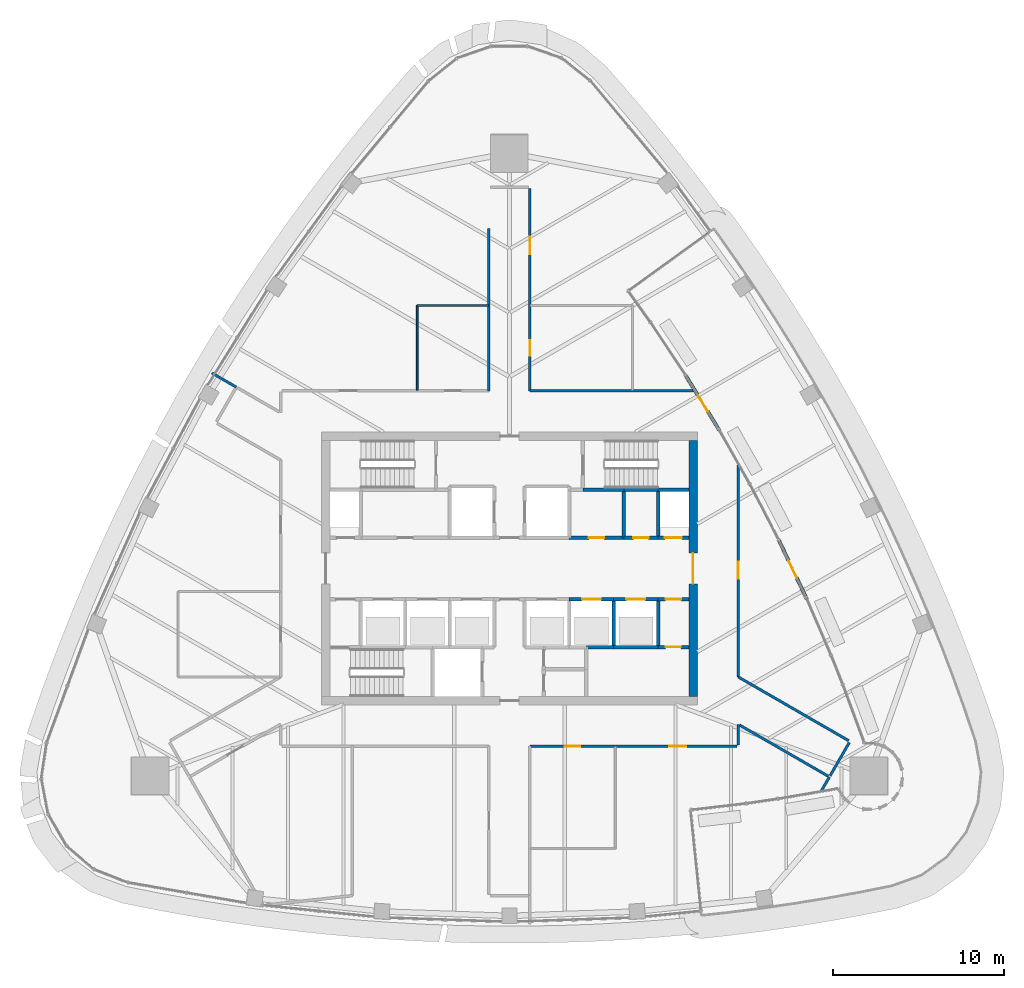
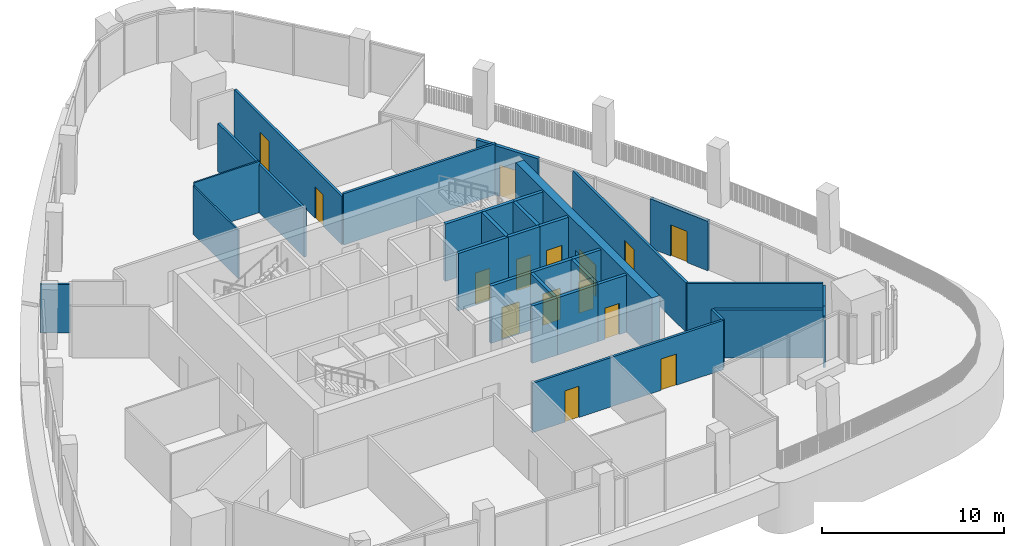
# One storey, part 13 of 20: 32 walls, 15 doors, 15 openings.
"""IFC4 building model written with IfcOpenShell, lengths in metres."""

from ifc_helpers import new_model, si_unit, direction, frame, frame_2d, origin, place, context, subcontext, project, spatial, rectangle, extrude, material, layer, layer_set, type_object, element, fill, save


model = new_model("IFC4")

# Units and contexts
model_context = context("Model", 3, precision=1e-05, world=origin(), true_north=direction((0.0, 1.0)))
body_context = subcontext(model_context, "Body", "Model", "MODEL_VIEW")
ifc_project = project(units=[si_unit("LENGTHUNIT", "METRE"), si_unit("AREAUNIT", "SQUARE_METRE"), si_unit("VOLUMEUNIT", "CUBIC_METRE"), si_unit("PLANEANGLEUNIT", "RADIAN"), si_unit("MASSUNIT", "GRAM", prefix="KILO")], contexts=[model_context])

# Site, building, storey
site_placement = place(None, origin())
site = spatial("IfcSite", under=ifc_project, at=site_placement, CompositionType="ELEMENT")
building_placement = place(site_placement, origin())
building = spatial("IfcBuilding", under=site, at=building_placement, Name="Sierra Prisma Convention Tower", CompositionType="ELEMENT")
storey_placement = place(building_placement, frame((0.0, 0.0, 275.0)))
storey = spatial("IfcBuildingStorey", under=building, at=storey_placement, Name="L62", CompositionType="ELEMENT", Elevation=275.0)

# Walls
ifc_material_1 = material(Name="Gypsum board partition", Category="gypsum")
ifc_layer_1 = layer(ifc_material_1, 0.10009765625)
ifc_layer_set_1 = layer_set([ifc_layer_1], Name="Bathroom partition 100")
wall_type_1 = type_object("IfcWallType", Name="Bathroom partition 100", PredefinedType="PARTITIONING", material=ifc_layer_set_1)
wall_1_placement = place(storey_placement, frame((-5.39990234375, 10.429931640625, 0.0), z_axis=(0.0, 0.0, 1.0), x_axis=(0.0, 1.0, 0.0)))
element("IfcWall", 1, at=wall_1_placement, inside=storey, type_object=wall_type_1, Name="Partition L62 bath 4", PredefinedType="PARTITIONING", context=body_context, shape_type="SweptSolid", body=[
    extrude(rectangle(XDim=4.969970703125, YDim=0.10009765625, at=frame_2d((2.48486328125, 0.0))), origin(), (0.0, 0.0, 1.0), 3.2470703125),
])
wall_2_placement = place(storey_placement, frame((-5.39990234375, 15.39990234375, 0.0), z_axis=(0.0, 0.0, 1.0), x_axis=(1.0, 0.0, 0.0)))
element("IfcWall", 2, at=wall_2_placement, inside=storey, type_object=wall_type_1, Name="Partition L62 bath 5", PredefinedType="PARTITIONING", context=body_context, shape_type="SweptSolid", body=[
    extrude(rectangle(XDim=4.169921875, YDim=0.10009765625, at=frame_2d((2.0849609375, 0.0))), origin(), (0.0, 0.0, 1.0), 3.449951171875),
])

# Wall, opening, door
ifc_material_2 = material(Name="Concrete C30/37", Category="concrete")
ifc_layer_2 = layer(ifc_material_2, 0.199951171875)
ifc_layer_set_2 = layer_set([ifc_layer_2], Name="Core wall RC 200 C30/37")
wall_type_2 = type_object("IfcWallType", Name="Core wall RC 200 C30/37", PredefinedType="SOLIDWALL", material=ifc_layer_set_2)
wall_3_placement = place(storey_placement, frame((3.5, -1.800048828125, 0.0), z_axis=(0.0, 0.0, 1.0), x_axis=(1.0, 0.0, 0.0)))
wall_3 = element("IfcWall", 3, at=wall_3_placement, inside=storey, type_object=wall_type_2, Name="Core wall L62 44", PredefinedType="SOLIDWALL", context=body_context, shape_type="SweptSolid", body=[
    extrude(rectangle(XDim=2.60009765625, YDim=0.199951171875, at=frame_2d((1.300048828125, 0.0))), origin(), (0.0, 0.0, 1.0), 3.85009765625),
])
opening_1_placement = place(wall_3_placement, frame((0.75, 0.0, 0.0)))
opening_1 = element("IfcOpeningElement", 4, at=opening_1_placement, cuts=wall_3, Name="Opening L62-D007", PredefinedType="OPENING", context=body_context, shape_type="SweptSolid", body=[
    extrude(rectangle(XDim=1.10009765625, YDim=2.10009765625, at=frame_2d((0.550048828125, 1.050048828125))), frame((0.0, 0.10009765625, 0.0), z_axis=(0.0, -1.0, 0.0), x_axis=(1.0, 0.0, 0.0)), (0.0, 0.0, 1.0), 0.199951171875),
])
ifc_material_3 = material(Name="Steel fire door leaf", Category="steel")
door_type_1 = type_object("IfcDoorType", Name="Door 1100x2100 EI 90 sliding lift landing", OperationType="SLIDING_TO_LEFT", PredefinedType="DOOR", material=ifc_material_3)
door_1_placement = place(opening_1_placement, origin())
door_1 = element("IfcDoor", 5, at=door_1_placement, inside=storey, type_object=door_type_1, Name="Door L62 16", OperationType="SLIDING_TO_LEFT", OverallHeight=2.10009765625, OverallWidth=1.10009765625, PredefinedType="DOOR", context=body_context, shape_type="SweptSolid", body=[
    extrude(rectangle(XDim=1.10009765625, YDim=2.10009765625, at=frame_2d((0.550048828125, 1.050048828125))), frame((0.0, 0.02490234375, 0.0), z_axis=(0.0, -1.0, 0.0), x_axis=(1.0, 0.0, 0.0)), (0.0, 0.0, 1.0), 0.050048828125),
])
fill(opening_1, door_1)

wall_4_placement = place(storey_placement, frame((3.5, 1.800048828125, 0.0), z_axis=(0.0, 0.0, 1.0), x_axis=(1.0, 0.0, 0.0)))
wall_4 = element("IfcWall", 6, at=wall_4_placement, inside=storey, type_object=wall_type_2, Name="Core wall L62 45", PredefinedType="SOLIDWALL", context=body_context, shape_type="SweptSolid", body=[
    extrude(rectangle(XDim=3.199951171875, YDim=0.199951171875, at=frame_2d((1.60009765625, 0.0))), origin(), (0.0, 0.0, 1.0), 3.85009765625),
])
opening_2_placement = place(wall_4_placement, frame((1.14990234375, 0.0, 0.0)))
opening_2 = element("IfcOpeningElement", 7, at=opening_2_placement, cuts=wall_4, Name="Opening L62-D020", PredefinedType="OPENING", context=body_context, shape_type="SweptSolid", body=[
    extrude(rectangle(XDim=0.89990234375, YDim=2.10009765625, at=frame_2d((0.449951171875, 1.050048828125))), frame((0.0, 0.10009765625, 0.0), z_axis=(0.0, -1.0, 0.0), x_axis=(1.0, 0.0, 0.0)), (0.0, 0.0, 1.0), 0.199951171875),
])
ifc_material_4 = material(Name="Steel fire door leaf", Category="steel")
door_type_2 = type_object("IfcDoorType", Name="Door 900x2100 FD30S", OperationType="SINGLE_SWING_LEFT", PredefinedType="DOOR", material=ifc_material_4)
door_2_placement = place(opening_2_placement, origin())
door_2 = element("IfcDoor", 8, at=door_2_placement, inside=storey, type_object=door_type_2, Name="Door L62 29", OperationType="SINGLE_SWING_LEFT", OverallHeight=2.10009765625, OverallWidth=0.89990234375, PredefinedType="DOOR", context=body_context, shape_type="SweptSolid", body=[
    extrude(rectangle(XDim=0.89990234375, YDim=2.10009765625, at=frame_2d((0.449951171875, 1.050048828125))), frame((0.0, 0.02490234375, 0.0), z_axis=(0.0, -1.0, 0.0), x_axis=(1.0, 0.0, 0.0)), (0.0, 0.0, 1.0), 0.050048828125),
])
fill(opening_2, door_2)

# Walls
wall_5_placement = place(storey_placement, frame((6.699951171875, 4.60009765625, 0.0), z_axis=(0.0, 0.0, 1.0), x_axis=(-1.0, 0.0, 0.0)))
element("IfcWall", 9, at=wall_5_placement, inside=storey, type_object=wall_type_2, Name="Core wall L62 48", PredefinedType="SOLIDWALL", context=body_context, shape_type="SweptSolid", body=[
    extrude(rectangle(XDim=2.39990234375, YDim=0.199951171875, at=frame_2d((1.199951171875, 0.0))), origin(), (0.0, 0.0, 1.0), 3.85009765625),
])
wall_6_placement = place(storey_placement, frame((6.10009765625, -4.60009765625, 0.0), z_axis=(0.0, 0.0, 1.0), x_axis=(-1.0, 0.0, 0.0)))
element("IfcWall", 10, at=wall_6_placement, inside=storey, type_object=wall_type_2, Name="Core wall L62 52", PredefinedType="SOLIDWALL", context=body_context, shape_type="SweptSolid", body=[
    extrude(rectangle(XDim=1.60009765625, YDim=0.199951171875, at=frame_2d((0.800048828125, 0.0))), origin(), (0.0, 0.0, 1.0), 3.85009765625),
])
wall_7_placement = place(storey_placement, frame((8.699951171875, -4.60009765625, 0.0), z_axis=(0.0, 0.0, 1.0), x_axis=(-1.0, 0.0, 0.0)))
element("IfcWall", 11, at=wall_7_placement, inside=storey, type_object=wall_type_2, Name="Core wall L62 53", PredefinedType="SOLIDWALL", context=body_context, shape_type="SweptSolid", body=[
    extrude(rectangle(XDim=2.599853515625, YDim=0.199951171875, at=frame_2d((1.2998046875, 0.0))), origin(), (0.0, 0.0, 1.0), 3.85009765625),
])
wall_8_placement = place(storey_placement, frame((6.10009765625, -4.60009765625, 0.0), z_axis=(0.0, 0.0, 1.0), x_axis=(0.0, 1.0, 0.0)))
element("IfcWall", 12, at=wall_8_placement, inside=storey, type_object=wall_type_2, Name="Core wall L62 54", PredefinedType="SOLIDWALL", context=body_context, shape_type="SweptSolid", body=[
    extrude(rectangle(XDim=2.800048828125, YDim=0.199951171875, at=frame_2d((1.39990234375, 0.0))), origin(), (0.0, 0.0, 1.0), 3.85009765625),
])

# Wall, opening, door
wall_9_placement = place(storey_placement, frame((6.10009765625, -1.800048828125, 0.0), z_axis=(0.0, 0.0, 1.0), x_axis=(1.0, 0.0, 0.0)))
wall_9 = element("IfcWall", 13, at=wall_9_placement, inside=storey, type_object=wall_type_2, Name="Core wall L62 55", PredefinedType="SOLIDWALL", context=body_context, shape_type="SweptSolid", body=[
    extrude(rectangle(XDim=2.599853515625, YDim=0.199951171875, at=frame_2d((1.2998046875, 0.0))), origin(), (0.0, 0.0, 1.0), 3.85009765625),
])
opening_3_placement = place(wall_9_placement, frame((0.75, 0.0, 0.0)))
opening_3 = element("IfcOpeningElement", 14, at=opening_3_placement, cuts=wall_9, Name="Opening L62-D008", PredefinedType="OPENING", context=body_context, shape_type="SweptSolid", body=[
    extrude(rectangle(XDim=1.10009765625, YDim=2.10009765625, at=frame_2d((0.550048828125, 1.050048828125))), frame((0.0, 0.10009765625, 0.0), z_axis=(0.0, -1.0, 0.0), x_axis=(1.0, 0.0, 0.0)), (0.0, 0.0, 1.0), 0.199951171875),
])
door_3_placement = place(opening_3_placement, origin())
door_3 = element("IfcDoor", 15, at=door_3_placement, inside=storey, type_object=door_type_1, Name="Door L62 17", OperationType="SLIDING_TO_LEFT", OverallHeight=2.10009765625, OverallWidth=1.10009765625, PredefinedType="DOOR", context=body_context, shape_type="SweptSolid", body=[
    extrude(rectangle(XDim=1.10009765625, YDim=2.10009765625, at=frame_2d((0.550048828125, 1.050048828125))), frame((0.0, 0.02490234375, 0.0), z_axis=(0.0, -1.0, 0.0), x_axis=(1.0, 0.0, 0.0)), (0.0, 0.0, 1.0), 0.050048828125),
])
fill(opening_3, door_3)

wall_10_placement = place(storey_placement, frame((6.699951171875, 1.800048828125, 0.0), z_axis=(0.0, 0.0, 1.0), x_axis=(1.0, 0.0, 0.0)))
wall_10 = element("IfcWall", 16, at=wall_10_placement, inside=storey, type_object=wall_type_2, Name="Core wall L62 56", PredefinedType="SOLIDWALL", context=body_context, shape_type="SweptSolid", body=[
    extrude(rectangle(XDim=2.0, YDim=0.199951171875, at=frame_2d((1.0, 0.0))), origin(), (0.0, 0.0, 1.0), 3.85009765625),
])
opening_4_placement = place(wall_10_placement, frame((0.550048828125, 0.0, 0.0)))
opening_4 = element("IfcOpeningElement", 17, at=opening_4_placement, cuts=wall_10, Name="Opening L62-D021", PredefinedType="OPENING", context=body_context, shape_type="SweptSolid", body=[
    extrude(rectangle(XDim=0.89990234375, YDim=2.10009765625, at=frame_2d((0.449951171875, 1.050048828125))), frame((0.0, 0.10009765625, 0.0), z_axis=(0.0, -1.0, 0.0), x_axis=(1.0, 0.0, 0.0)), (0.0, 0.0, 1.0), 0.199951171875),
])
door_4_placement = place(opening_4_placement, origin())
door_4 = element("IfcDoor", 18, at=door_4_placement, inside=storey, type_object=door_type_2, Name="Door L62 30", OperationType="SINGLE_SWING_LEFT", OverallHeight=2.10009765625, OverallWidth=0.89990234375, PredefinedType="DOOR", context=body_context, shape_type="SweptSolid", body=[
    extrude(rectangle(XDim=0.89990234375, YDim=2.10009765625, at=frame_2d((0.449951171875, 1.050048828125))), frame((0.0, 0.02490234375, 0.0), z_axis=(0.0, -1.0, 0.0), x_axis=(1.0, 0.0, 0.0)), (0.0, 0.0, 1.0), 0.050048828125),
])
fill(opening_4, door_4)

# Walls
wall_11_placement = place(storey_placement, frame((6.699951171875, 1.800048828125, 0.0), z_axis=(0.0, 0.0, 1.0), x_axis=(0.0, 1.0, 0.0)))
element("IfcWall", 19, at=wall_11_placement, inside=storey, type_object=wall_type_2, Name="Core wall L62 57", PredefinedType="SOLIDWALL", context=body_context, shape_type="SweptSolid", body=[
    extrude(rectangle(XDim=2.800048828125, YDim=0.199951171875, at=frame_2d((1.39990234375, 0.0))), origin(), (0.0, 0.0, 1.0), 3.85009765625),
])
wall_12_placement = place(storey_placement, frame((8.699951171875, 4.60009765625, 0.0), z_axis=(0.0, 0.0, 1.0), x_axis=(-1.0, 0.0, 0.0)))
element("IfcWall", 20, at=wall_12_placement, inside=storey, type_object=wall_type_2, Name="Core wall L62 58", PredefinedType="SOLIDWALL", context=body_context, shape_type="SweptSolid", body=[
    extrude(rectangle(XDim=2.0, YDim=0.199951171875, at=frame_2d((1.0, 0.0))), origin(), (0.0, 0.0, 1.0), 3.85009765625),
])

# Wall, opening, door
wall_13_placement = place(storey_placement, frame((10.5, -4.60009765625, 0.0), z_axis=(0.0, 0.0, 1.0), x_axis=(-1.0, 0.0, 0.0)))
wall_13 = element("IfcWall", 21, at=wall_13_placement, inside=storey, type_object=wall_type_2, Name="Core wall L62 59", PredefinedType="SOLIDWALL", context=body_context, shape_type="SweptSolid", body=[
    extrude(rectangle(XDim=1.800048828125, YDim=0.199951171875, at=frame_2d((0.89990234375, 0.0))), origin(), (0.0, 0.0, 1.0), 3.85009765625),
])
opening_5_placement = place(wall_13_placement, frame((0.4599609375, 0.0, 0.0)))
opening_5 = element("IfcOpeningElement", 22, at=opening_5_placement, cuts=wall_13, Name="Opening L62-D023", PredefinedType="OPENING", context=body_context, shape_type="SweptSolid", body=[
    extrude(rectangle(XDim=0.89990234375, YDim=2.10009765625, at=frame_2d((0.449951171875, 1.050048828125))), frame((0.0, 0.10009765625, 0.0), z_axis=(0.0, -1.0, 0.0), x_axis=(1.0, 0.0, 0.0)), (0.0, 0.0, 1.0), 0.199951171875),
])
door_5_placement = place(opening_5_placement, origin())
door_5 = element("IfcDoor", 23, at=door_5_placement, inside=storey, type_object=door_type_2, Name="Door L62 32", OperationType="SINGLE_SWING_LEFT", OverallHeight=2.10009765625, OverallWidth=0.89990234375, PredefinedType="DOOR", context=body_context, shape_type="SweptSolid", body=[
    extrude(rectangle(XDim=0.89990234375, YDim=2.10009765625, at=frame_2d((0.449951171875, 1.050048828125))), frame((0.0, 0.02490234375, 0.0), z_axis=(0.0, -1.0, 0.0), x_axis=(1.0, 0.0, 0.0)), (0.0, 0.0, 1.0), 0.050048828125),
])
fill(opening_5, door_5)

# Wall
wall_14_placement = place(storey_placement, frame((8.699951171875, -1.800048828125, 0.0), z_axis=(0.0, 0.0, 1.0), x_axis=(0.0, -1.0, 0.0)))
element("IfcWall", 24, at=wall_14_placement, inside=storey, type_object=wall_type_2, Name="Core wall L62 60", PredefinedType="SOLIDWALL", context=body_context, shape_type="SweptSolid", body=[
    extrude(rectangle(XDim=2.800048828125, YDim=0.199951171875, at=frame_2d((1.39990234375, 0.0))), origin(), (0.0, 0.0, 1.0), 3.85009765625),
])

# Wall, opening, door
wall_15_placement = place(storey_placement, frame((8.699951171875, -1.800048828125, 0.0), z_axis=(0.0, 0.0, 1.0), x_axis=(1.0, 0.0, 0.0)))
wall_15 = element("IfcWall", 25, at=wall_15_placement, inside=storey, type_object=wall_type_2, Name="Core wall L62 61", PredefinedType="SOLIDWALL", context=body_context, shape_type="SweptSolid", body=[
    extrude(rectangle(XDim=1.800048828125, YDim=0.199951171875, at=frame_2d((0.89990234375, 0.0))), origin(), (0.0, 0.0, 1.0), 3.85009765625),
])
opening_6_placement = place(wall_15_placement, frame((0.449951171875, 0.0, 0.0)))
opening_6 = element("IfcOpeningElement", 26, at=opening_6_placement, cuts=wall_15, Name="Opening L62-D024", PredefinedType="OPENING", context=body_context, shape_type="SweptSolid", body=[
    extrude(rectangle(XDim=0.89990234375, YDim=2.10009765625, at=frame_2d((0.449951171875, 1.050048828125))), frame((0.0, 0.10009765625, 0.0), z_axis=(0.0, -1.0, 0.0), x_axis=(1.0, 0.0, 0.0)), (0.0, 0.0, 1.0), 0.199951171875),
])
door_6_placement = place(opening_6_placement, origin())
door_6 = element("IfcDoor", 27, at=door_6_placement, inside=storey, type_object=door_type_2, Name="Door L62 33", OperationType="SINGLE_SWING_LEFT", OverallHeight=2.10009765625, OverallWidth=0.89990234375, PredefinedType="DOOR", context=body_context, shape_type="SweptSolid", body=[
    extrude(rectangle(XDim=0.89990234375, YDim=2.10009765625, at=frame_2d((0.449951171875, 1.050048828125))), frame((0.0, 0.02490234375, 0.0), z_axis=(0.0, -1.0, 0.0), x_axis=(1.0, 0.0, 0.0)), (0.0, 0.0, 1.0), 0.050048828125),
])
fill(opening_6, door_6)

wall_16_placement = place(storey_placement, frame((10.5, 1.800048828125, 0.0), z_axis=(0.0, 0.0, 1.0), x_axis=(-1.0, 0.0, 0.0)))
wall_16 = element("IfcWall", 28, at=wall_16_placement, inside=storey, type_object=wall_type_2, Name="Core wall L62 62", PredefinedType="SOLIDWALL", context=body_context, shape_type="SweptSolid", body=[
    extrude(rectangle(XDim=1.800048828125, YDim=0.199951171875, at=frame_2d((0.89990234375, 0.0))), origin(), (0.0, 0.0, 1.0), 3.85009765625),
])
opening_7_placement = place(wall_16_placement, frame((0.39990234375, 0.0, 0.0)))
opening_7 = element("IfcOpeningElement", 29, at=opening_7_placement, cuts=wall_16, Name="Opening L62-D016", PredefinedType="OPENING", context=body_context, shape_type="SweptSolid", body=[
    extrude(rectangle(XDim=1.0, YDim=2.10009765625, at=frame_2d((0.5, 1.050048828125))), frame((0.0, 0.10009765625, 0.0), z_axis=(0.0, -1.0, 0.0), x_axis=(1.0, 0.0, 0.0)), (0.0, 0.0, 1.0), 0.199951171875),
])
ifc_material_5 = material(Name="Steel fire door leaf", Category="steel")
door_type_3 = type_object("IfcDoorType", Name="Door 1000x2100 FD60S", OperationType="SINGLE_SWING_LEFT", PredefinedType="DOOR", material=ifc_material_5)
door_7_placement = place(opening_7_placement, origin())
door_7 = element("IfcDoor", 30, at=door_7_placement, inside=storey, type_object=door_type_3, Name="Door L62 25", OperationType="SINGLE_SWING_RIGHT", OverallHeight=2.10009765625, OverallWidth=1.0, PredefinedType="DOOR", context=body_context, shape_type="SweptSolid", body=[
    extrude(rectangle(XDim=1.0, YDim=2.10009765625, at=frame_2d((0.5, 1.050048828125))), frame((0.0, 0.02490234375, 0.0), z_axis=(0.0, -1.0, 0.0), x_axis=(1.0, 0.0, 0.0)), (0.0, 0.0, 1.0), 0.050048828125),
])
fill(opening_7, door_7)

# Walls
wall_17_placement = place(storey_placement, frame((8.699951171875, 1.800048828125, 0.0), z_axis=(0.0, 0.0, 1.0), x_axis=(0.0, 1.0, 0.0)))
element("IfcWall", 31, at=wall_17_placement, inside=storey, type_object=wall_type_2, Name="Core wall L62 63", PredefinedType="SOLIDWALL", context=body_context, shape_type="SweptSolid", body=[
    extrude(rectangle(XDim=2.800048828125, YDim=0.199951171875, at=frame_2d((1.39990234375, 0.0))), origin(), (0.0, 0.0, 1.0), 3.85009765625),
])
wall_18_placement = place(storey_placement, frame((10.5, 4.60009765625, 0.0), z_axis=(0.0, 0.0, 1.0), x_axis=(-1.0, 0.0, 0.0)))
element("IfcWall", 32, at=wall_18_placement, inside=storey, type_object=wall_type_2, Name="Core wall L62 64", PredefinedType="SOLIDWALL", context=body_context, shape_type="SweptSolid", body=[
    extrude(rectangle(XDim=1.800048828125, YDim=0.199951171875, at=frame_2d((0.89990234375, 0.0))), origin(), (0.0, 0.0, 1.0), 3.85009765625),
])

# Wall, opening, door
ifc_material_6 = material(Name="Concrete C50/60", Category="concrete")
ifc_layer_3 = layer(ifc_material_6, 0.5)
ifc_layer_set_3 = layer_set([ifc_layer_3], Name="Core wall RC 500 C50/60")
wall_type_3 = type_object("IfcWallType", Name="Core wall RC 500 C50/60", PredefinedType="SHEAR", material=ifc_layer_set_3)
wall_19_placement = place(storey_placement, frame((10.75, -7.5, 0.0), z_axis=(0.0, 0.0, 1.0), x_axis=(0.0, 1.0, 0.0)))
wall_19 = element("IfcWall", 33, at=wall_19_placement, inside=storey, type_object=wall_type_3, Name="Core wall E L62", PredefinedType="SHEAR", context=body_context, shape_type="SweptSolid", body=[
    extrude(rectangle(XDim=15.0, YDim=0.5, at=frame_2d((7.5, 0.0))), origin(), (0.0, 0.0, 1.0), 4.0),
])
opening_8_placement = place(wall_19_placement, frame((6.60009765625, 0.0, 0.0)))
opening_8 = element("IfcOpeningElement", 34, at=opening_8_placement, cuts=wall_19, Name="Opening L62-D038", PredefinedType="OPENING", context=body_context, shape_type="SweptSolid", body=[
    extrude(rectangle(XDim=1.800048828125, YDim=2.10009765625, at=frame_2d((0.89990234375, 1.050048828125))), frame((0.0, 0.25, 0.0), z_axis=(0.0, -1.0, 0.0), x_axis=(1.0, 0.0, 0.0)), (0.0, 0.0, 1.0), 0.5),
])
ifc_material_7 = material(Name="Steel fire door leaf", Category="steel")
door_type_4 = type_object("IfcDoorType", Name="Door 1800x2100 FD60S", OperationType="DOUBLE_DOOR_SINGLE_SWING", PredefinedType="DOOR", material=ifc_material_7)
door_8_placement = place(opening_8_placement, origin())
door_8 = element("IfcDoor", 35, at=door_8_placement, inside=storey, type_object=door_type_4, Name="Door L62 37", OperationType="DOUBLE_DOOR_SINGLE_SWING", OverallHeight=2.10009765625, OverallWidth=1.800048828125, PredefinedType="DOOR", context=body_context, shape_type="SweptSolid", body=[
    extrude(rectangle(XDim=1.800048828125, YDim=2.10009765625, at=frame_2d((0.89990234375, 1.050048828125))), frame((0.0, 0.02490234375, 0.0), z_axis=(0.0, -1.0, 0.0), x_axis=(1.0, 0.0, 0.0)), (0.0, 0.0, 1.0), 0.050048828125),
])
fill(opening_8, door_8)

# Wall
ifc_material_8 = material(Name="Gypsum board partition", Category="gypsum")
ifc_layer_4 = layer(ifc_material_8, 0.14990234375)
ifc_layer_set_4 = layer_set([ifc_layer_4], Name="Corridor wall 150 gypsum EI 60")
wall_type_4 = type_object("IfcWallType", Name="Corridor wall 150 gypsum EI 60", PredefinedType="PARTITIONING", material=ifc_layer_set_4)
wall_20_placement = place(storey_placement, frame((-1.199951171875, 19.89990234375, 0.0), z_axis=(0.0, 0.0, 1.0), x_axis=(0.0, -1.0, 0.0)))
element("IfcWall", 36, at=wall_20_placement, inside=storey, type_object=wall_type_4, Name="Partition L62 corr 12", PredefinedType="PARTITIONING", context=body_context, shape_type="SweptSolid", body=[
    extrude(rectangle(XDim=9.5, YDim=0.14990234375, at=frame_2d((4.75, 0.0))), origin(), (0.0, 0.0, 1.0), 3.2470703125),
])

# Wall, openings, doors
wall_21_placement = place(storey_placement, frame((1.199951171875, -10.39990234375, 0.0), z_axis=(0.0, 0.0, 1.0), x_axis=(1.0, 0.0, 0.0)))
wall_21 = element("IfcWall", 37, at=wall_21_placement, inside=storey, type_object=wall_type_4, Name="Partition L62 corr 17", PredefinedType="PARTITIONING", context=body_context, shape_type="SweptSolid", body=[
    extrude(rectangle(XDim=12.1201171875, YDim=0.14990234375, at=frame_2d((6.06005859375, 0.0))), origin(), (0.0, 0.0, 1.0), 3.31689453125),
])
opening_9_placement = place(wall_21_placement, frame((2.050048828125, 0.0, 0.0)))
opening_9 = element("IfcOpeningElement", 38, at=opening_9_placement, cuts=wall_21, Name="Opening L62-D035", PredefinedType="OPENING", context=body_context, shape_type="SweptSolid", body=[
    extrude(rectangle(XDim=0.89990234375, YDim=2.10009765625, at=frame_2d((0.449951171875, 1.050048828125))), frame((0.0, 0.074951171875, 0.0), z_axis=(0.0, -1.0, 0.0), x_axis=(1.0, 0.0, 0.0)), (0.0, 0.0, 1.0), 0.14990234375),
])
opening_10_placement = place(wall_21_placement, frame((8.14990234375, 0.0, 0.0)))
opening_10 = element("IfcOpeningElement", 39, at=opening_10_placement, cuts=wall_21, Name="Opening L62-D036", PredefinedType="OPENING", context=body_context, shape_type="SweptSolid", body=[
    extrude(rectangle(XDim=1.0, YDim=2.10009765625, at=frame_2d((0.5, 1.050048828125))), frame((0.0, 0.074951171875, 0.0), z_axis=(0.0, -1.0, 0.0), x_axis=(1.0, 0.0, 0.0)), (0.0, 0.0, 1.0), 0.14990234375),
])
ifc_material_9 = material(Name="Steel fire door leaf", Category="steel")
door_type_5 = type_object("IfcDoorType", Name="Door 1000x2100 FD30S", OperationType="SINGLE_SWING_LEFT", PredefinedType="DOOR", material=ifc_material_9)
door_9_placement = place(opening_10_placement, origin())
door_9 = element("IfcDoor", 40, at=door_9_placement, inside=storey, type_object=door_type_5, Name="Door L62 10", OperationType="SINGLE_SWING_RIGHT", OverallHeight=2.10009765625, OverallWidth=1.0, PredefinedType="DOOR", context=body_context, shape_type="SweptSolid", body=[
    extrude(rectangle(XDim=1.0, YDim=2.10009765625, at=frame_2d((0.5, 1.050048828125))), frame((0.0, 0.02490234375, 0.0), z_axis=(0.0, -1.0, 0.0), x_axis=(1.0, 0.0, 0.0)), (0.0, 0.0, 1.0), 0.050048828125),
])
fill(opening_10, door_9)
door_10_placement = place(opening_9_placement, origin())
door_10 = element("IfcDoor", 41, at=door_10_placement, inside=storey, type_object=door_type_2, Name="Door L62 9", OperationType="SINGLE_SWING_LEFT", OverallHeight=2.10009765625, OverallWidth=0.89990234375, PredefinedType="DOOR", context=body_context, shape_type="SweptSolid", body=[
    extrude(rectangle(XDim=0.89990234375, YDim=2.10009765625, at=frame_2d((0.449951171875, 1.050048828125))), frame((0.0, 0.02490234375, 0.0), z_axis=(0.0, -1.0, 0.0), x_axis=(1.0, 0.0, 0.0)), (0.0, 0.0, 1.0), 0.050048828125),
])
fill(opening_9, door_10)

# Wall
wall_22_placement = place(storey_placement, frame((10.882080078125, 10.39990234375, 0.0), z_axis=(0.0, 0.0, 1.0), x_axis=(-1.0, 0.0, 0.0)))
element("IfcWall", 42, at=wall_22_placement, inside=storey, type_object=wall_type_4, Name="Partition L62 corr 18", PredefinedType="PARTITIONING", context=body_context, shape_type="SweptSolid", body=[
    extrude(rectangle(XDim=9.68212890625, YDim=0.14990234375, at=frame_2d((4.841064453125, 0.0))), origin(), (0.0, 0.0, 1.0), 3.449951171875),
])

# Wall, openings, doors
wall_23_placement = place(storey_placement, frame((1.199951171875, 10.39990234375, 0.0), z_axis=(0.0, 0.0, 1.0), x_axis=(0.0, 1.0, 0.0)))
wall_23 = element("IfcWall", 43, at=wall_23_placement, inside=storey, type_object=wall_type_4, Name="Partition L62 corr 19", PredefinedType="PARTITIONING", context=body_context, shape_type="SweptSolid", body=[
    extrude(rectangle(XDim=11.845703125, YDim=0.14990234375, at=frame_2d((5.9228515625, 0.0))), origin(), (0.0, 0.0, 1.0), 3.2470703125),
])
opening_11_placement = place(wall_23_placement, frame((2.050048828125, 0.0, 0.0)))
opening_11 = element("IfcOpeningElement", 44, at=opening_11_placement, cuts=wall_23, Name="Opening L62-D027", PredefinedType="OPENING", context=body_context, shape_type="SweptSolid", body=[
    extrude(rectangle(XDim=0.89990234375, YDim=2.10009765625, at=frame_2d((0.449951171875, 1.050048828125))), frame((0.0, 0.074951171875, 0.0), z_axis=(0.0, -1.0, 0.0), x_axis=(1.0, 0.0, 0.0)), (0.0, 0.0, 1.0), 0.14990234375),
])
opening_12_placement = place(wall_23_placement, frame((8.0126953125, 0.0, 0.0)))
opening_12 = element("IfcOpeningElement", 45, at=opening_12_placement, cuts=wall_23, Name="Opening L62-D028", PredefinedType="OPENING", context=body_context, shape_type="SweptSolid", body=[
    extrude(rectangle(XDim=1.0, YDim=2.10009765625, at=frame_2d((0.5, 1.050048828125))), frame((0.0, 0.074951171875, 0.0), z_axis=(0.0, -1.0, 0.0), x_axis=(1.0, 0.0, 0.0)), (0.0, 0.0, 1.0), 0.14990234375),
])
door_11_placement = place(opening_12_placement, origin())
door_11 = element("IfcDoor", 46, at=door_11_placement, inside=storey, type_object=door_type_5, Name="Door L62 2", OperationType="SINGLE_SWING_LEFT", OverallHeight=2.10009765625, OverallWidth=1.0, PredefinedType="DOOR", context=body_context, shape_type="SweptSolid", body=[
    extrude(rectangle(XDim=1.0, YDim=2.10009765625, at=frame_2d((0.5, 1.050048828125))), frame((0.0, 0.02490234375, 0.0), z_axis=(0.0, -1.0, 0.0), x_axis=(1.0, 0.0, 0.0)), (0.0, 0.0, 1.0), 0.050048828125),
])
fill(opening_12, door_11)
door_12_placement = place(opening_11_placement, origin())
door_12 = element("IfcDoor", 47, at=door_12_placement, inside=storey, type_object=door_type_2, Name="Door L62 1", OperationType="SINGLE_SWING_RIGHT", OverallHeight=2.10009765625, OverallWidth=0.89990234375, PredefinedType="DOOR", context=body_context, shape_type="SweptSolid", body=[
    extrude(rectangle(XDim=0.89990234375, YDim=2.10009765625, at=frame_2d((0.449951171875, 1.050048828125))), frame((0.0, 0.02490234375, 0.0), z_axis=(0.0, -1.0, 0.0), x_axis=(1.0, 0.0, 0.0)), (0.0, 0.0, 1.0), 0.050048828125),
])
fill(opening_11, door_12)

# Walls
wall_24_placement = place(storey_placement, frame((13.39990234375, -10.320068359375, 0.0), z_axis=(0.0, 0.0, 1.0), x_axis=(0.0, 1.0, 0.0)))
element("IfcWall", 48, at=wall_24_placement, inside=storey, type_object=wall_type_4, Name="Partition L62 corr 20", PredefinedType="PARTITIONING", context=body_context, shape_type="SweptSolid", body=[
    extrude(rectangle(XDim=1.197998046875, YDim=0.14990234375, at=frame_2d((0.59912109375, 0.0))), origin(), (0.0, 0.0, 1.0), 3.23291015625),
])
wall_25_placement = place(storey_placement, frame((13.479248046875, -9.16796875, 0.0), z_axis=(0.0, 0.0, 1.0), x_axis=(0.866026717539, -0.499997724503, 0.0)))
element("IfcWall", 49, at=wall_25_placement, inside=storey, type_object=wall_type_4, Name="Partition L62 corr 21", PredefinedType="PARTITIONING", context=body_context, shape_type="SweptSolid", body=[
    extrude(rectangle(XDim=5.98828125, YDim=0.14990234375, at=frame_2d((2.994140625, 0.0))), origin(), (0.0, 0.0, 1.0), 3.23291015625),
])
wall_26_placement = place(storey_placement, frame((19.865234375, -10.08349609375, 0.0), z_axis=(0.0, 0.0, 1.0), x_axis=(-0.86603092396, 0.499990438654, 0.0)))
element("IfcWall", 50, at=wall_26_placement, inside=storey, type_object=wall_type_4, Name="Partition L62 corr 22", PredefinedType="PARTITIONING", context=body_context, shape_type="SweptSolid", body=[
    extrude(rectangle(XDim=7.465576171875, YDim=0.14990234375, at=frame_2d((3.73291015625, 0.0))), origin(), (0.0, 0.0, 1.0), 3.31689453125),
])

# Wall, opening, door
wall_27_placement = place(storey_placement, frame((13.39990234375, -6.350830078125, 0.0), z_axis=(0.0, 0.0, 1.0), x_axis=(0.0, 1.0, 0.0)))
wall_27 = element("IfcWall", 51, at=wall_27_placement, inside=storey, type_object=wall_type_4, Name="Partition L62 corr 23", PredefinedType="PARTITIONING", context=body_context, shape_type="SweptSolid", body=[
    extrude(rectangle(XDim=12.496337890625, YDim=0.14990234375, at=frame_2d((6.248046875, 0.0))), origin(), (0.0, 0.0, 1.0), 3.31689453125),
])
opening_13_placement = place(wall_27_placement, frame((5.748291015625, 0.0, 0.0)))
opening_13 = element("IfcOpeningElement", 52, at=opening_13_placement, cuts=wall_27, Name="Opening L62-D037", PredefinedType="OPENING", context=body_context, shape_type="SweptSolid", body=[
    extrude(rectangle(XDim=1.0, YDim=2.10009765625, at=frame_2d((0.5, 1.050048828125))), frame((0.0, 0.074951171875, 0.0), z_axis=(0.0, -1.0, 0.0), x_axis=(1.0, 0.0, 0.0)), (0.0, 0.0, 1.0), 0.14990234375),
])
door_13_placement = place(opening_13_placement, origin())
door_13 = element("IfcDoor", 53, at=door_13_placement, inside=storey, type_object=door_type_5, Name="Door L62 11", OperationType="SINGLE_SWING_LEFT", OverallHeight=2.10009765625, OverallWidth=1.0, PredefinedType="DOOR", context=body_context, shape_type="SweptSolid", body=[
    extrude(rectangle(XDim=1.0, YDim=2.10009765625, at=frame_2d((0.5, 1.050048828125))), frame((0.0, 0.02490234375, 0.0), z_axis=(0.0, -1.0, 0.0), x_axis=(1.0, 0.0, 0.0)), (0.0, 0.0, 1.0), 0.050048828125),
])
fill(opening_13, door_13)

# Walls
wall_28_placement = place(storey_placement, frame((18.774658203125, -12.1328125, 0.0), z_axis=(0.0, 0.0, 1.0), x_axis=(0.49994888933, 0.866054910533, 0.0)))
element("IfcWall", 54, at=wall_28_placement, inside=storey, type_object=wall_type_4, Name="Partition L62 corr 24", PredefinedType="PARTITIONING", context=body_context, shape_type="SweptSolid", body=[
    extrude(rectangle(XDim=2.239990234375, YDim=0.14990234375, at=frame_2d((1.1201171875, 0.0))), origin(), (0.0, 0.0, 1.0), 3.23291015625),
])
ifc_material_10 = material(Name="Gypsum board partition", Category="gypsum")
ifc_layer_5 = layer(ifc_material_10, 0.14990234375)
ifc_layer_set_5 = layer_set([ifc_layer_5], Name="Party wall 150 gypsum")
wall_type_5 = type_object("IfcWallType", Name="Party wall 150 gypsum", PredefinedType="PARTITIONING", material=ifc_layer_set_5)
wall_29_placement = place(storey_placement, frame((-15.9892578125, 10.616943359375, 0.0), z_axis=(0.0, 0.0, 1.0), x_axis=(-0.865984256307, 0.50007126275, 0.0)))
element("IfcWall", 55, at=wall_29_placement, inside=storey, type_object=wall_type_5, Name="Partition L62 party 2", PredefinedType="PARTITIONING", context=body_context, shape_type="SweptSolid", body=[
    extrude(rectangle(XDim=1.656005859375, YDim=0.14990234375, at=frame_2d((0.828125, 0.0))), origin(), (0.0, 0.0, 1.0), 3.23388671875),
])
wall_30_placement = place(storey_placement, frame((18.734619140625, -12.2021484375, 0.0), z_axis=(0.0, 0.0, 1.0), x_axis=(-0.500069196213, -0.865985449646, 0.0)))
element("IfcWall", 56, at=wall_30_placement, inside=storey, type_object=wall_type_5, Name="Partition L62 party 8", PredefinedType="PARTITIONING", context=body_context, shape_type="SweptSolid", body=[
    extrude(rectangle(XDim=0.995361328125, YDim=0.14990234375, at=frame_2d((0.49755859375, 0.0))), origin(), (0.0, 0.0, 1.0), 3.449951171875),
])

# Wall, opening, door
ifc_material_11 = material(Name="Precast concrete C40/50", Category="concrete")
ifc_layer_6 = layer(ifc_material_11, 0.199951171875)
ifc_layer_set_6 = layer_set([ifc_layer_6], Name="Terrace door pier")
wall_type_6 = type_object("IfcWallType", Name="Terrace door pier", PredefinedType="SOLIDWALL", material=ifc_layer_set_6)
wall_31_placement = place(storey_placement, frame((17.408935546875, -1.7900390625, 0.0), z_axis=(0.0, 0.0, 1.0), x_axis=(-0.428705303782, 0.903444388166, 0.0)))
wall_31 = element("IfcWall", 57, at=wall_31_placement, inside=storey, type_object=wall_type_6, Name="Terrace door bay L62.24", PredefinedType="SOLIDWALL", context=body_context, shape_type="SweptSolid", body=[
    extrude(rectangle(XDim=3.882080078125, YDim=0.199951171875, at=frame_2d((1.94091796875, 0.0))), origin(), (0.0, 0.0, 1.0), 3.31689453125),
])
opening_14_placement = place(wall_31_placement, frame((1.39111328125, 0.0, 0.0)))
opening_14 = element("IfcOpeningElement", 58, at=opening_14_placement, cuts=wall_31, Name="Opening L62-D001", PredefinedType="OPENING", context=body_context, shape_type="SweptSolid", body=[
    extrude(rectangle(XDim=1.10009765625, YDim=2.10009765625, at=frame_2d((0.550048828125, 1.050048828125))), frame((0.0, 0.10009765625, 0.0), z_axis=(0.0, -1.0, 0.0), x_axis=(1.0, 0.0, 0.0)), (0.0, 0.0, 1.0), 0.199951171875),
])
ifc_material_12 = material(Name="Bronze anodised aluminium and glass", Category="aluminium")
door_type_6 = type_object("IfcDoorType", Name="Terrace door 1100 x 2100", OperationType="SINGLE_SWING_LEFT", PredefinedType="DOOR", material=ifc_material_12)
door_14_placement = place(opening_14_placement, origin())
door_14 = element("IfcDoor", 59, at=door_14_placement, inside=storey, type_object=door_type_6, Name="Terrace door L62.24", OperationType="SINGLE_SWING_LEFT", OverallHeight=2.10009765625, OverallWidth=1.10009765625, PredefinedType="DOOR", context=body_context, shape_type="SweptSolid", body=[
    extrude(rectangle(XDim=1.10009765625, YDim=2.10009765625, at=frame_2d((0.550048828125, 1.050048828125))), frame((0.0, 0.02490234375, 0.0), z_axis=(0.0, -1.0, 0.0), x_axis=(1.0, 0.0, 0.0)), (0.0, 0.0, 1.0), 0.050048828125),
])
fill(opening_14, door_14)

wall_32_placement = place(storey_placement, frame((12.302490234375, 8.067626953125, 0.0), z_axis=(0.0, 0.0, 1.0), x_axis=(-0.523107588239, 0.852266654943, 0.0)))
wall_32 = element("IfcWall", 60, at=wall_32_placement, inside=storey, type_object=wall_type_6, Name="Terrace door bay L62.27", PredefinedType="SOLIDWALL", context=body_context, shape_type="SweptSolid", body=[
    extrude(rectangle(XDim=3.882080078125, YDim=0.199951171875, at=frame_2d((1.94091796875, 0.0))), origin(), (0.0, 0.0, 1.0), 3.340087890625),
])
opening_15_placement = place(wall_32_placement, frame((1.32568359375, 0.0, 0.0)))
opening_15 = element("IfcOpeningElement", 61, at=opening_15_placement, cuts=wall_32, Name="Opening L62-D002", PredefinedType="OPENING", context=body_context, shape_type="SweptSolid", body=[
    extrude(rectangle(XDim=1.10009765625, YDim=2.10009765625, at=frame_2d((0.550048828125, 1.050048828125))), frame((0.0, 0.10009765625, 0.0), z_axis=(0.0, -1.0, 0.0), x_axis=(1.0, 0.0, 0.0)), (0.0, 0.0, 1.0), 0.199951171875),
])
door_15_placement = place(opening_15_placement, origin())
door_15 = element("IfcDoor", 62, at=door_15_placement, inside=storey, type_object=door_type_6, Name="Terrace door L62.27", OperationType="SINGLE_SWING_LEFT", OverallHeight=2.10009765625, OverallWidth=1.10009765625, PredefinedType="DOOR", context=body_context, shape_type="SweptSolid", body=[
    extrude(rectangle(XDim=1.10009765625, YDim=2.10009765625, at=frame_2d((0.550048828125, 1.050048828125))), frame((0.0, 0.02490234375, 0.0), z_axis=(0.0, -1.0, 0.0), x_axis=(1.0, 0.0, 0.0)), (0.0, 0.0, 1.0), 0.050048828125),
])
fill(opening_15, door_15)

save(model, "model.ifc")
